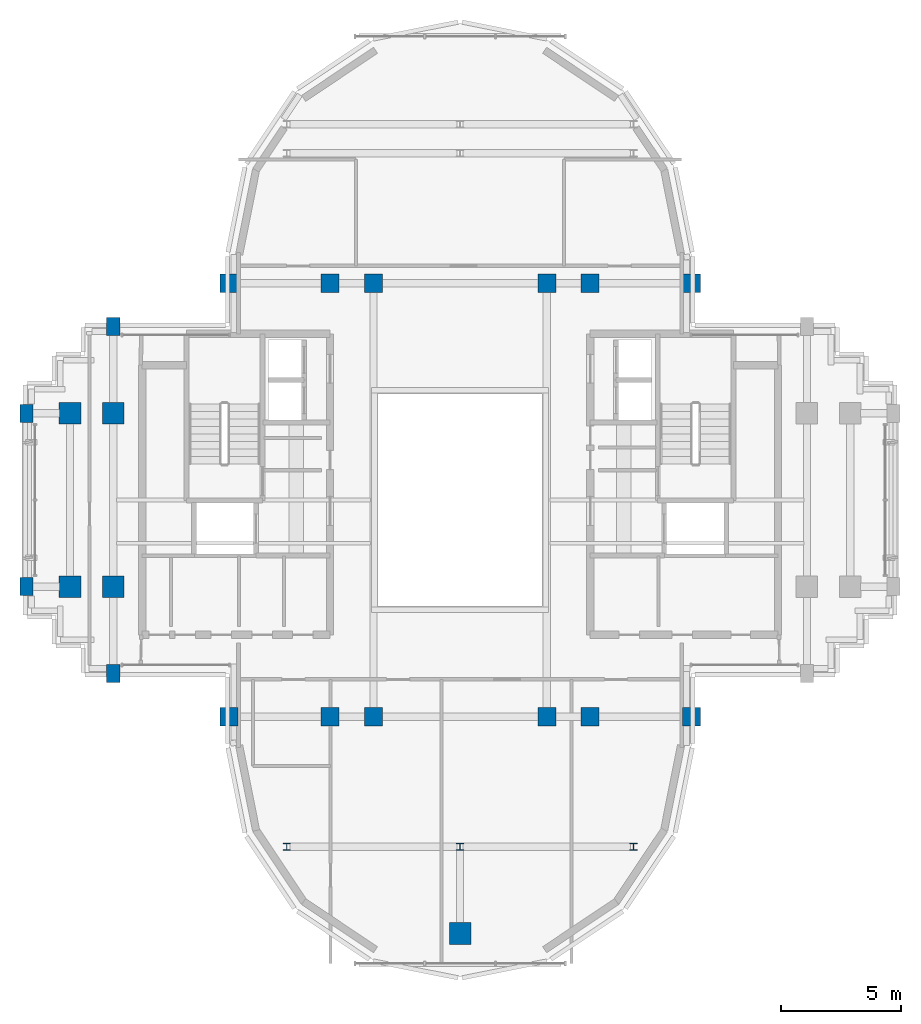
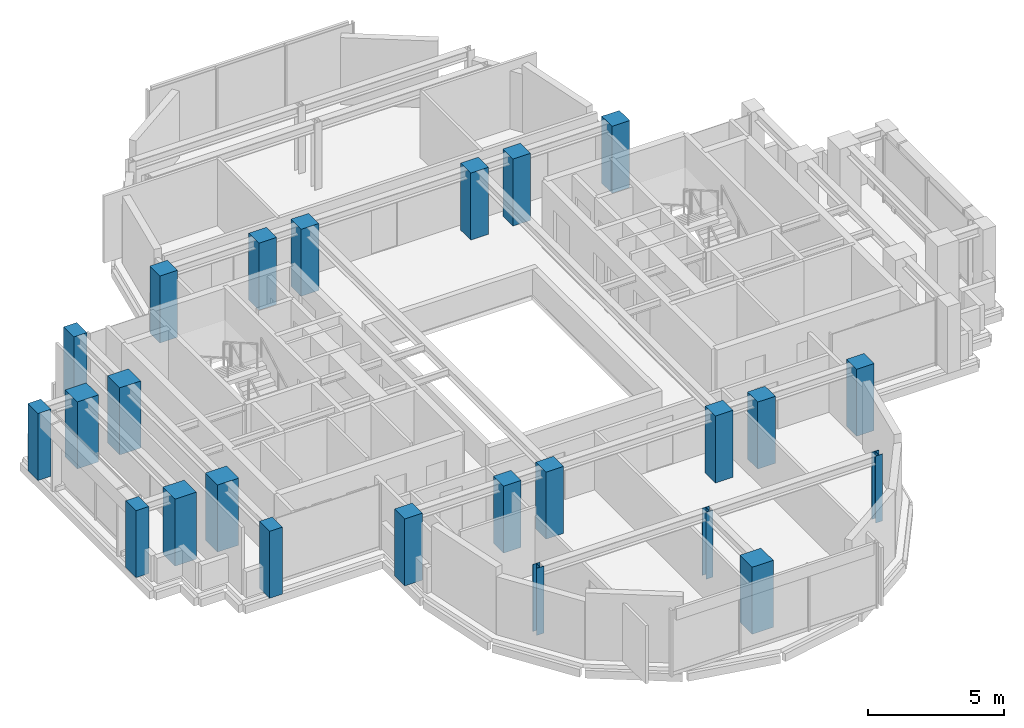
# One storey, part 1 of 12: 24 columns.
"""IFC4 building model written with IfcOpenShell, lengths in metres."""

from ifc_helpers import new_model, si_unit, direction, frame, origin, origin_2d, place, context, subcontext, project, spatial, rectangle, i_section, extrude, source, transform, mapped, material, material_profile, profile_set, type_object, element, save


model = new_model("IFC4")

# Units and contexts
model_context = context("Model", 3, precision=1e-05, world=origin(), true_north=direction((0.0, 1.0)))
body_context = subcontext(model_context, "Body", "Model", "MODEL_VIEW")
ifc_project = project(units=[si_unit("LENGTHUNIT", "METRE"), si_unit("AREAUNIT", "SQUARE_METRE"), si_unit("VOLUMEUNIT", "CUBIC_METRE"), si_unit("PLANEANGLEUNIT", "RADIAN"), si_unit("MASSUNIT", "GRAM", prefix="KILO")], contexts=[model_context])

# Site, building, storey
site_placement = place(None, origin())
site = spatial("IfcSite", under=ifc_project, at=site_placement, CompositionType="ELEMENT")
building_placement = place(site_placement, origin())
building = spatial("IfcBuilding", under=site, at=building_placement, Name="Keilestroom Media Tower", CompositionType="ELEMENT")
storey_placement = place(building_placement, frame((0.0, 0.0, 226.800048828125)))
storey = spatial("IfcBuildingStorey", under=building, at=storey_placement, Name="L62", CompositionType="ELEMENT", Elevation=226.800048828125)

# Columns
ifc_material_1 = material(Name="Precast concrete C40/50", Category="concrete")
ifc_material_profile_1 = material_profile(ifc_material_1, rectangle(XDim=0.550048828125, YDim=0.75, at=origin_2d()), Name="PC 750x550")
ifc_profile_set_1 = profile_set([ifc_material_profile_1], Name="Precast concrete C40/50")
column_type_1 = type_object("IfcColumnType", Name="Structural-Column-PC-750x550", PredefinedType="COLUMN", material=ifc_profile_set_1)
shared_shape_1 = source(origin(), body_context, "Body", "SweptSolid", [
    extrude(rectangle(XDim=0.550048828125, YDim=0.75, at=origin_2d()), origin(), (0.0, 0.0, 1.0), 3.010009765625),
])
for number, where, z_axis, x_axis, name in (
    (1, (-18.0, -3.60009765625, 0.0), (0.0, 0.0, 1.0), (1.0, 0.0, 0.0), "L62 Column PC-3 (-18.0,-3.6)"),
    (2, (-18.0, 3.60009765625, 0.0), (0.0, 0.0, 1.0), (1.0, 0.0, 0.0), "L62 Column PC-3 (-18.0,+3.6)"),
    (3, (-14.39990234375, -7.199951171875, 0.0), (0.0, 0.0, 1.0), (1.0, 0.0, 0.0), "L62 Column PC-3 (-14.4,-7.2)"),
    (4, (-14.39990234375, 7.199951171875, 0.0), (0.0, 0.0, 1.0), (1.0, 0.0, 0.0), "L62 Column PC-3 (-14.4,+7.2)"),
):
    element("IfcColumn", number, at=place(storey_placement, frame(where, z_axis=z_axis, x_axis=x_axis)), inside=storey, type_object=column_type_1, Name=name, PredefinedType="COLUMN", context=body_context, shape_type="MappedRepresentation", body=[
        mapped(shared_shape_1, transform((0.0, 0.0, 0.0), x_axis=(1.0, 0.0, 0.0), y_axis=(0.0, 1.0, 0.0), z_axis=(0.0, 0.0, 1.0), scale=1.0)),
    ])
ifc_material_2 = material(Name="Concrete C55/67", Category="concrete")
ifc_material_profile_2 = material_profile(ifc_material_2, rectangle(XDim=0.89990234375, YDim=0.89990234375, at=origin_2d()), Name="RC 900x900")
ifc_profile_set_2 = profile_set([ifc_material_profile_2], Name="Concrete C55/67")
column_type_2 = type_object("IfcColumnType", Name="Structural-Column-RC-900x900", PredefinedType="COLUMN", material=ifc_profile_set_2)
shared_shape_2 = source(origin(), body_context, "Body", "SweptSolid", [
    extrude(rectangle(XDim=0.89990234375, YDim=0.89990234375, at=origin_2d()), origin(), (0.0, 0.0, 1.0), 3.010009765625),
])
for number, where, z_axis, x_axis, name in (
    (5, (-16.199951171875, -3.60009765625, 0.0), (0.0, 0.0, 1.0), (1.0, 0.0, 0.0), "L62 Column MC-4 (-16.2,-3.6)"),
    (6, (-16.199951171875, 3.60009765625, 0.0), (0.0, 0.0, 1.0), (1.0, 0.0, 0.0), "L62 Column MC-4 (-16.2,+3.6)"),
    (7, (-14.39990234375, -3.60009765625, 0.0), (0.0, 0.0, 1.0), (1.0, 0.0, 0.0), "L62 Column MC-4 (-14.4,-3.6)"),
    (8, (-14.39990234375, 3.60009765625, 0.0), (0.0, 0.0, 1.0), (1.0, 0.0, 0.0), "L62 Column MC-4 (-14.4,+3.6)"),
    (9, (0.0, -18.0, 0.0), (0.0, 0.0, 1.0), (1.0, 0.0, 0.0), "L62 Column MC-4 (+0.0,-18.0)"),
):
    element("IfcColumn", number, at=place(storey_placement, frame(where, z_axis=z_axis, x_axis=x_axis)), inside=storey, type_object=column_type_2, Name=name, PredefinedType="COLUMN", context=body_context, shape_type="MappedRepresentation", body=[
        mapped(shared_shape_2, transform((0.0, 0.0, 0.0), x_axis=(1.0, 0.0, 0.0), y_axis=(0.0, 1.0, 0.0), z_axis=(0.0, 0.0, 1.0), scale=1.0)),
    ])
ifc_material_3 = material(Name="Concrete C50/60", Category="concrete")
ifc_material_profile_3 = material_profile(ifc_material_3, rectangle(XDim=0.75, YDim=0.75, at=origin_2d()), Name="RC 750x750")
ifc_profile_set_3 = profile_set([ifc_material_profile_3], Name="Concrete C50/60")
column_type_3 = type_object("IfcColumnType", Name="Structural-Column-RC-750x750", PredefinedType="COLUMN", material=ifc_profile_set_3)
shared_shape_3 = source(origin(), body_context, "Body", "SweptSolid", [
    extrude(rectangle(XDim=0.75, YDim=0.75, at=origin_2d()), origin(), (0.0, 0.0, 1.0), 3.010009765625),
])
for number, where, z_axis, x_axis, name in (
    (10, (-9.60009765625, -9.0, 0.0), (0.0, 0.0, 1.0), (1.0, 0.0, 0.0), "L62 Column MC-5 (-9.6,-9.0)"),
    (11, (-9.60009765625, 9.0, 0.0), (0.0, 0.0, 1.0), (1.0, 0.0, 0.0), "L62 Column MC-5 (-9.6,+9.0)"),
    (12, (-5.39990234375, -9.0, 0.0), (0.0, 0.0, 1.0), (1.0, 0.0, 0.0), "L62 Column MC-5 (-5.4,-9.0)"),
    (13, (-5.39990234375, 9.0, 0.0), (0.0, 0.0, 1.0), (1.0, 0.0, 0.0), "L62 Column MC-5 (-5.4,+9.0)"),
    (14, (-3.60009765625, -9.0, 0.0), (0.0, 0.0, 1.0), (1.0, 0.0, 0.0), "L62 Column MC-5 (-3.6,-9.0)"),
    (15, (-3.60009765625, 9.0, 0.0), (0.0, 0.0, 1.0), (1.0, 0.0, 0.0), "L62 Column MC-5 (-3.6,+9.0)"),
    (16, (3.60009765625, -9.0, 0.0), (0.0, 0.0, 1.0), (1.0, 0.0, 0.0), "L62 Column MC-5 (+3.6,-9.0)"),
    (17, (3.60009765625, 9.0, 0.0), (0.0, 0.0, 1.0), (1.0, 0.0, 0.0), "L62 Column MC-5 (+3.6,+9.0)"),
    (18, (5.39990234375, -9.0, 0.0), (0.0, 0.0, 1.0), (1.0, 0.0, 0.0), "L62 Column MC-5 (+5.4,-9.0)"),
    (19, (5.39990234375, 9.0, 0.0), (0.0, 0.0, 1.0), (1.0, 0.0, 0.0), "L62 Column MC-5 (+5.4,+9.0)"),
    (20, (9.60009765625, -9.0, 0.0), (0.0, 0.0, 1.0), (1.0, 0.0, 0.0), "L62 Column MC-5 (+9.6,-9.0)"),
    (21, (9.60009765625, 9.0, 0.0), (0.0, 0.0, 1.0), (1.0, 0.0, 0.0), "L62 Column MC-5 (+9.6,+9.0)"),
):
    element("IfcColumn", number, at=place(storey_placement, frame(where, z_axis=z_axis, x_axis=x_axis)), inside=storey, type_object=column_type_3, Name=name, PredefinedType="COLUMN", context=body_context, shape_type="MappedRepresentation", body=[
        mapped(shared_shape_3, transform((0.0, 0.0, 0.0), x_axis=(1.0, 0.0, 0.0), y_axis=(0.0, 1.0, 0.0), z_axis=(0.0, 0.0, 1.0), scale=1.0)),
    ])
ifc_material_4 = material(Name="Steel S355", Category="steel")
ifc_material_profile_4 = material_profile(ifc_material_4, i_section(OverallWidth=0.300048828125, OverallDepth=0.300048828125, WebThickness=0.010986328125, FlangeThickness=0.01904296875, at=origin_2d()), Name="HEB 300")
ifc_profile_set_4 = profile_set([ifc_material_profile_4], Name="Steel S355")
column_type_4 = type_object("IfcColumnType", Name="Structural-Column-HEB-300", PredefinedType="COLUMN", material=ifc_profile_set_4)
shared_shape_4 = source(origin(), body_context, "Body", "SweptSolid", [
    extrude(i_section(OverallWidth=0.300048828125, OverallDepth=0.300048828125, WebThickness=0.010986328125, FlangeThickness=0.01904296875, at=origin_2d()), origin(), (0.0, 0.0, 1.0), 3.010009765625),
])
for number, where, z_axis, x_axis, name in (
    (22, (-7.199951171875, -14.39990234375, 0.0), (0.0, 0.0, 1.0), (1.0, 0.0, 0.0), "L62 Column SC-5 (-7.2,-14.4)"),
    (23, (0.0, -14.39990234375, 0.0), (0.0, 0.0, 1.0), (1.0, 0.0, 0.0), "L62 Column SC-5 (+0.0,-14.4)"),
    (24, (7.199951171875, -14.39990234375, 0.0), (0.0, 0.0, 1.0), (1.0, 0.0, 0.0), "L62 Column SC-5 (+7.2,-14.4)"),
):
    element("IfcColumn", number, at=place(storey_placement, frame(where, z_axis=z_axis, x_axis=x_axis)), inside=storey, type_object=column_type_4, Name=name, PredefinedType="COLUMN", context=body_context, shape_type="MappedRepresentation", body=[
        mapped(shared_shape_4, transform((0.0, 0.0, 0.0), x_axis=(1.0, 0.0, 0.0), y_axis=(0.0, 1.0, 0.0), z_axis=(0.0, 0.0, 1.0), scale=1.0)),
    ])

save(model, "model.ifc")
